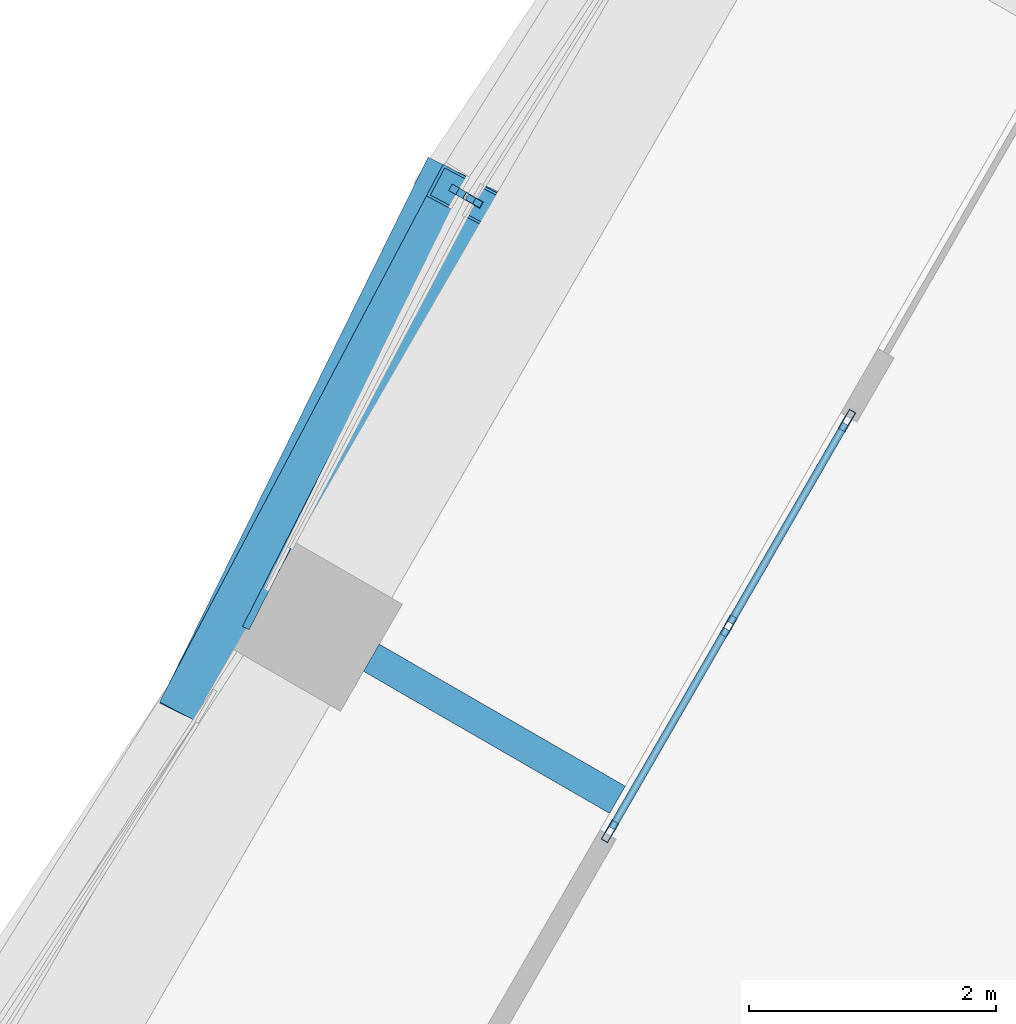
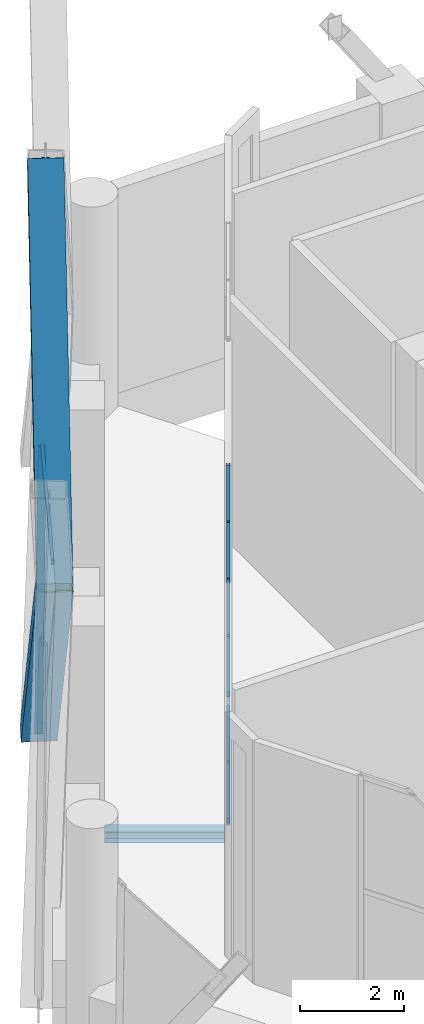
# One storey, part 15 of 43: 14 members, 1 beam, 3 elements without a shape of their own.
"""IFC4 building model written with IfcOpenShell, lengths in metres."""

from ifc_helpers import new_model, si_unit, direction, frame, origin, origin_2d, place, context, subcontext, project, spatial, hollow_rectangle, i_section, extrude, material, material_profile, profile_set, type_object, element, aggregate, save


model = new_model("IFC4")

# Units and contexts
model_context = context("Model", 3, precision=1e-05, world=origin(), true_north=direction((0.0, 1.0)))
body_context = subcontext(model_context, "Body", "Model", "MODEL_VIEW")
ifc_project = project(units=[si_unit("LENGTHUNIT", "METRE"), si_unit("AREAUNIT", "SQUARE_METRE"), si_unit("VOLUMEUNIT", "CUBIC_METRE"), si_unit("PLANEANGLEUNIT", "RADIAN"), si_unit("MASSUNIT", "GRAM", prefix="KILO")], contexts=[model_context])

# Site, building, storey
site_placement = place(None, origin())
site = spatial("IfcSite", under=ifc_project, at=site_placement, CompositionType="ELEMENT")
building_placement = place(site_placement, origin())
building = spatial("IfcBuilding", under=site, at=building_placement, Name="Ostrander Bayou Hotel Tower", CompositionType="ELEMENT")
storey_placement = place(building_placement, frame((0.0, 0.0, 151.0)))
storey = spatial("IfcBuildingStorey", under=building, at=storey_placement, Name="L37", CompositionType="ELEMENT", Elevation=151.0)

# Curtain wall, members
ifc_material_1 = material(Name="Aluminium and clear glass", Category="aluminium")
curtain_wall_type_1 = type_object("IfcCurtainWallType", Name="CW-LAT lattice glazing", PredefinedType="NOTDEFINED", material=ifc_material_1)
curtain_wall_1_placement = place(storey_placement, origin())
curtain_wall_1 = element("IfcCurtainWall", 1, at=curtain_wall_1_placement, inside=storey, type_object=curtain_wall_type_1, Name="CW-LAT L37 NW 1", PredefinedType="NOTDEFINED")
ifc_material_2 = material(Name="Aluminium", Category="aluminium")
ifc_material_profile_1 = material_profile(ifc_material_2, hollow_rectangle(XDim=0.06005859375, YDim=0.159912109375, WallThickness=0.00390625, at=origin_2d()))
ifc_profile_set_1 = profile_set([ifc_material_profile_1], Name="Aluminium")
member_type_1 = type_object("IfcMemberType", Name="CW-LA mullion 60 x 160 mm", PredefinedType="MULLION", material=ifc_profile_set_1)
member_1_placement = place(storey_placement, frame((-16.51513671875, 9.534912109375, -0.60009765625), z_axis=(0.008390809755, -0.004846415979, 0.99995305218), x_axis=(0.500153222552, 0.865936922628, 0.0)))
member_1 = element("IfcMember", 2, at=member_1_placement, type_object=member_type_1, Name="CW-LAT mullion 4", PredefinedType="MULLION", context=body_context, shape_type="SweptSolid", body=[
    extrude(hollow_rectangle(XDim=0.06005859375, YDim=0.159912109375, WallThickness=0.00390625, at=origin_2d()), origin(), (0.0, 0.0, 1.0), 6.750244140625),
])
member_2_placement = place(storey_placement, frame((-16.45849609375, 9.502197265625, 6.14990234375), z_axis=(0.008426974476, -0.004846414505, 0.999952748067), x_axis=(0.498541023162, 0.866866107438, 0.0)))
member_2 = element("IfcMember", 3, at=member_2_placement, type_object=member_type_1, Name="CW-LAT mullion 5", PredefinedType="MULLION", context=body_context, shape_type="SweptSolid", body=[
    extrude(hollow_rectangle(XDim=0.06005859375, YDim=0.159912109375, WallThickness=0.00390625, at=origin_2d()), origin(), (0.0, 0.0, 1.0), 6.750244140625),
])
aggregate(curtain_wall_1, [member_1, member_2])

# Curtain wall, member
curtain_wall_2_placement = place(storey_placement, origin())
curtain_wall_2 = element("IfcCurtainWall", 4, at=curtain_wall_2_placement, inside=storey, type_object=curtain_wall_type_1, Name="CW-LAT L37 NW 2", PredefinedType="NOTDEFINED")
ifc_material_3 = material(Name="Aluminium", Category="aluminium")
ifc_material_profile_2 = material_profile(ifc_material_3, hollow_rectangle(XDim=0.06005859375, YDim=0.1201171875, WallThickness=0.00390625, at=origin_2d()))
ifc_profile_set_2 = profile_set([ifc_material_profile_2], Name="Aluminium")
member_type_2 = type_object("IfcMemberType", Name="CW-LA transom 60 x 120 mm", PredefinedType="USERDEFINED", material=ifc_profile_set_2)
member_3_placement = place(storey_placement, frame((-16.45849609375, 9.502197265625, 6.14990234375), z_axis=(-0.454143872003, -0.890928360488, 0.0), x_axis=(0.890928360488, -0.454143872003, 0.0)))
member_3 = element("IfcMember", 5, at=member_3_placement, type_object=member_type_2, Name="CW-LAT transom 7", ObjectType="TRANSOM", PredefinedType="USERDEFINED", context=body_context, shape_type="SweptSolid", body=[
    extrude(hollow_rectangle(XDim=0.06005859375, YDim=0.1201171875, WallThickness=0.00390625, at=origin_2d()), origin(), (0.0, 0.0, 1.0), 3.923828125),
])
aggregate(curtain_wall_2, [member_3])

# Curtain wall, members
ifc_material_4 = material(Name="Aluminium and clear glass", Category="aluminium")
curtain_wall_type_2 = type_object("IfcCurtainWallType", Name="CW-SKY amenity glass wall", PredefinedType="NOTDEFINED", material=ifc_material_4)
curtain_wall_3_placement = place(storey_placement, origin())
curtain_wall_3 = element("IfcCurtainWall", 6, at=curtain_wall_3_placement, inside=storey, type_object=curtain_wall_type_2, Name="CW-SKY L37 NW 3", PredefinedType="NOTDEFINED")
ifc_material_5 = material(Name="Aluminium", Category="aluminium")
ifc_material_profile_3 = material_profile(ifc_material_5, hollow_rectangle(XDim=0.06005859375, YDim=0.179931640625, WallThickness=0.00390625, at=origin_2d()))
ifc_profile_set_3 = profile_set([ifc_material_profile_3], Name="Aluminium")
member_type_3 = type_object("IfcMemberType", Name="CW-SK mullion 60 x 180 mm", PredefinedType="MULLION", material=ifc_profile_set_3)
member_4_placement = place(storey_placement, frame((-13.373291015625, 7.6865234375, 0.0), z_axis=(0.0, 0.0, 1.0), x_axis=(0.866025463091, -0.499999897278, 0.0)))
member_4 = element("IfcMember", 7, at=member_4_placement, type_object=member_type_3, Name="CW-SKY mullion 1", PredefinedType="MULLION", context=body_context, shape_type="SweptSolid", body=[
    extrude(hollow_rectangle(XDim=0.06005859375, YDim=0.179931640625, WallThickness=0.00390625, at=origin_2d()), origin(), (0.0, 0.0, 1.0), 5.699951171875),
])
member_5_placement = place(storey_placement, frame((-14.33349609375, 6.023681640625, 0.0), z_axis=(0.0, 0.0, 1.0), x_axis=(0.866025463091, -0.499999897278, 0.0)))
member_5 = element("IfcMember", 8, at=member_5_placement, type_object=member_type_3, Name="CW-SKY mullion 2", PredefinedType="MULLION", context=body_context, shape_type="SweptSolid", body=[
    extrude(hollow_rectangle(XDim=0.06005859375, YDim=0.179931640625, WallThickness=0.00390625, at=origin_2d()), origin(), (0.0, 0.0, 1.0), 5.699951171875),
])
member_6_placement = place(storey_placement, frame((-15.29345703125, 4.361083984375, 0.0), z_axis=(0.0, 0.0, 1.0), x_axis=(0.866025463091, -0.499999897278, 0.0)))
member_6 = element("IfcMember", 9, at=member_6_placement, type_object=member_type_3, Name="CW-SKY mullion 3", PredefinedType="MULLION", context=body_context, shape_type="SweptSolid", body=[
    extrude(hollow_rectangle(XDim=0.06005859375, YDim=0.179931640625, WallThickness=0.00390625, at=origin_2d()), origin(), (0.0, 0.0, 1.0), 5.699951171875),
])
ifc_material_6 = material(Name="Aluminium", Category="aluminium")
ifc_material_profile_4 = material_profile(ifc_material_6, hollow_rectangle(XDim=0.06005859375, YDim=0.1201171875, WallThickness=0.00390625, at=origin_2d()))
ifc_profile_set_4 = profile_set([ifc_material_profile_4], Name="Aluminium")
member_type_4 = type_object("IfcMemberType", Name="CW-SK transom 60 x 120 mm", PredefinedType="USERDEFINED", material=ifc_profile_set_4)
member_7_placement = place(storey_placement, frame((-13.388427734375, 7.66064453125, 0.030029296875), z_axis=(-0.499964847546, -0.866045698112, 0.0), x_axis=(0.866045698112, -0.499964847546, 0.0)))
member_7 = element("IfcMember", 10, at=member_7_placement, type_object=member_type_4, Name="CW-SKY transom 1.1", ObjectType="TRANSOM", PredefinedType="USERDEFINED", context=body_context, shape_type="SweptSolid", body=[
    extrude(hollow_rectangle(XDim=0.06005859375, YDim=0.1201171875, WallThickness=0.00390625, at=origin_2d()), origin(), (0.0, 0.0, 1.0), 1.860107421875),
])
member_8_placement = place(storey_placement, frame((-13.388427734375, 7.66064453125, 3.0), z_axis=(-0.499964847546, -0.866045698112, 0.0), x_axis=(0.866045698112, -0.499964847546, 0.0)))
member_8 = element("IfcMember", 11, at=member_8_placement, type_object=member_type_4, Name="CW-SKY transom 1.2", ObjectType="TRANSOM", PredefinedType="USERDEFINED", context=body_context, shape_type="SweptSolid", body=[
    extrude(hollow_rectangle(XDim=0.06005859375, YDim=0.1201171875, WallThickness=0.00390625, at=origin_2d()), origin(), (0.0, 0.0, 1.0), 1.860107421875),
])
member_9_placement = place(storey_placement, frame((-13.388427734375, 7.66064453125, 5.669921875), z_axis=(-0.499964847546, -0.866045698112, 0.0), x_axis=(0.866045698112, -0.499964847546, 0.0)))
member_9 = element("IfcMember", 12, at=member_9_placement, type_object=member_type_4, Name="CW-SKY transom 1.3", ObjectType="TRANSOM", PredefinedType="USERDEFINED", context=body_context, shape_type="SweptSolid", body=[
    extrude(hollow_rectangle(XDim=0.06005859375, YDim=0.1201171875, WallThickness=0.00390625, at=origin_2d()), origin(), (0.0, 0.0, 1.0), 1.860107421875),
])
member_10_placement = place(storey_placement, frame((-14.348388671875, 5.997802734375, 0.030029296875), z_axis=(-0.499964847546, -0.866045698112, 0.0), x_axis=(0.866045698112, -0.499964847546, 0.0)))
member_10 = element("IfcMember", 13, at=member_10_placement, type_object=member_type_4, Name="CW-SKY transom 2.1", ObjectType="TRANSOM", PredefinedType="USERDEFINED", context=body_context, shape_type="SweptSolid", body=[
    extrude(hollow_rectangle(XDim=0.06005859375, YDim=0.1201171875, WallThickness=0.00390625, at=origin_2d()), origin(), (0.0, 0.0, 1.0), 1.860107421875),
])
member_11_placement = place(storey_placement, frame((-14.348388671875, 5.997802734375, 3.0), z_axis=(-0.499964847546, -0.866045698112, 0.0), x_axis=(0.866045698112, -0.499964847546, 0.0)))
member_11 = element("IfcMember", 14, at=member_11_placement, type_object=member_type_4, Name="CW-SKY transom 2.2", ObjectType="TRANSOM", PredefinedType="USERDEFINED", context=body_context, shape_type="SweptSolid", body=[
    extrude(hollow_rectangle(XDim=0.06005859375, YDim=0.1201171875, WallThickness=0.00390625, at=origin_2d()), origin(), (0.0, 0.0, 1.0), 1.860107421875),
])
member_12_placement = place(storey_placement, frame((-14.348388671875, 5.997802734375, 5.669921875), z_axis=(-0.499964847546, -0.866045698112, 0.0), x_axis=(0.866045698112, -0.499964847546, 0.0)))
member_12 = element("IfcMember", 15, at=member_12_placement, type_object=member_type_4, Name="CW-SKY transom 2.3", ObjectType="TRANSOM", PredefinedType="USERDEFINED", context=body_context, shape_type="SweptSolid", body=[
    extrude(hollow_rectangle(XDim=0.06005859375, YDim=0.1201171875, WallThickness=0.00390625, at=origin_2d()), origin(), (0.0, 0.0, 1.0), 1.860107421875),
])
aggregate(curtain_wall_3, [member_4, member_5, member_6, member_7, member_8, member_9, member_10, member_11, member_12])

# Beam
ifc_material_7 = material(Name="Steel ASTM A992", Category="steel")
ifc_material_profile_5 = material_profile(ifc_material_7, i_section(OverallWidth=0.25390625, OverallDepth=0.25341796875, WebThickness=0.008544921875, FlangeThickness=0.01416015625, at=origin_2d()))
ifc_profile_set_5 = profile_set([ifc_material_profile_5], Name="Steel ASTM A992")
beam_type = type_object("IfcBeamType", Name="LB2 loggia bracket W10x49", PredefinedType="BEAM", material=ifc_profile_set_5)
beam_placement = place(storey_placement, frame((-17.224365234375, 5.7666015625, -0.4267578125), z_axis=(0.866053019151, -0.499952165731, 0.0), x_axis=(0.499952165731, 0.866053019151, 0.0)))
element("IfcBeam", 16, at=beam_placement, inside=storey, type_object=beam_type, Name="LB2 L37 NW2", PredefinedType="BEAM", context=body_context, shape_type="SweptSolid", body=[
    extrude(i_section(OverallWidth=0.25390625, OverallDepth=0.25341796875, WebThickness=0.008544921875, FlangeThickness=0.01416015625, at=origin_2d()), origin(), (0.0, 0.0, 1.0), 2.300048828125),
])

# Members
ifc_material_8 = material(Name="Steel ASTM A572 Gr 50", Category="steel")
ifc_material_profile_6 = material_profile(ifc_material_8, hollow_rectangle(XDim=0.699951171875, YDim=0.35009765625, WallThickness=0.02490234375, at=origin_2d()))
ifc_profile_set_6 = profile_set([ifc_material_profile_6], Name="Steel ASTM A572 Gr 50")
member_type_5 = type_object("IfcMemberType", Name="LT1 lattice member box 700 x 350 x 25 mm", PredefinedType="BRACE", material=ifc_profile_set_6)
member_13_placement = place(storey_placement, frame((-18.563232421875, 5.373291015625, 6.14990234375), z_axis=(0.250072388447, 0.508133738643, -0.824174680629), x_axis=(-0.897230674032, 0.441562133313, 0.0)))
element("IfcMember", 17, at=member_13_placement, inside=storey, type_object=member_type_5, Name="LT1 L37 NW 5", PredefinedType="BRACE", context=body_context, shape_type="SweptSolid", body=[
    extrude(hollow_rectangle(XDim=0.699951171875, YDim=0.35009765625, WallThickness=0.02490234375, at=origin_2d()), origin(), (0.0, 0.0, 1.0), 8.18994140625),
])
member_14_placement = place(storey_placement, frame((-18.563232421875, 5.373291015625, 6.14990234375), z_axis=(0.264056678517, 0.500377564057, 0.824558284125), x_axis=(-0.88440771998, 0.466715100292, 0.0)))
element("IfcMember", 18, at=member_14_placement, inside=storey, type_object=member_type_5, Name="LT1 L37 NW 6", PredefinedType="BRACE", context=body_context, shape_type="SweptSolid", body=[
    extrude(hollow_rectangle(XDim=0.699951171875, YDim=0.35009765625, WallThickness=0.02490234375, at=origin_2d()), origin(), (0.0, 0.0, 1.0), 8.186279296875),
])

save(model, "model.ifc")
